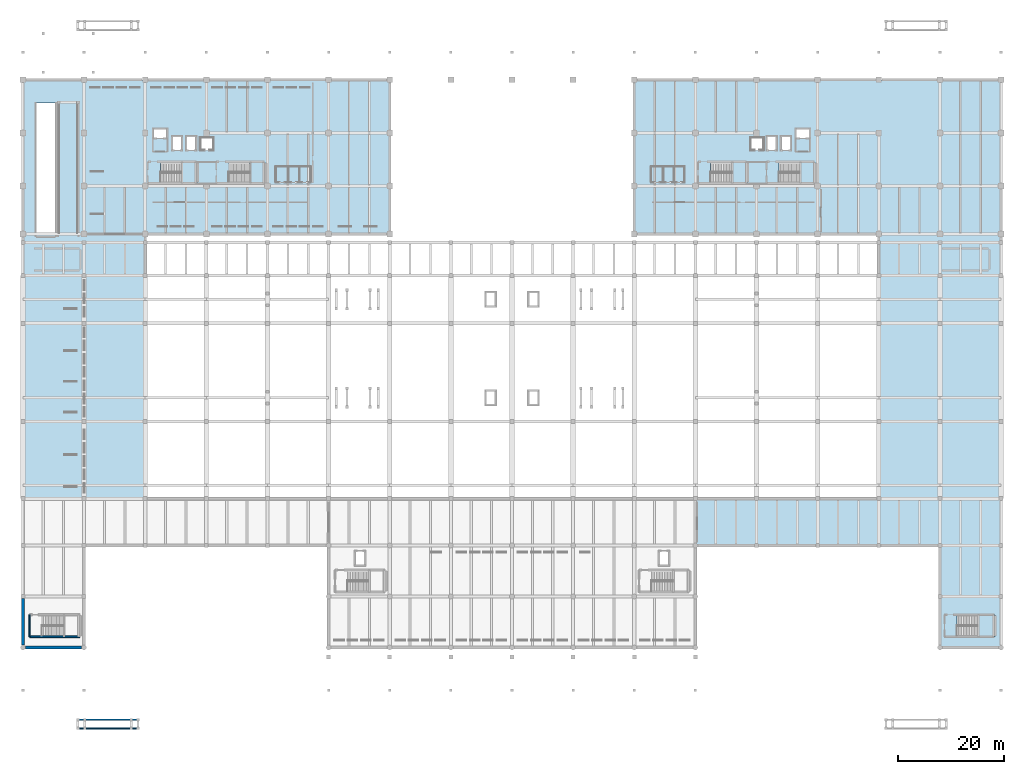
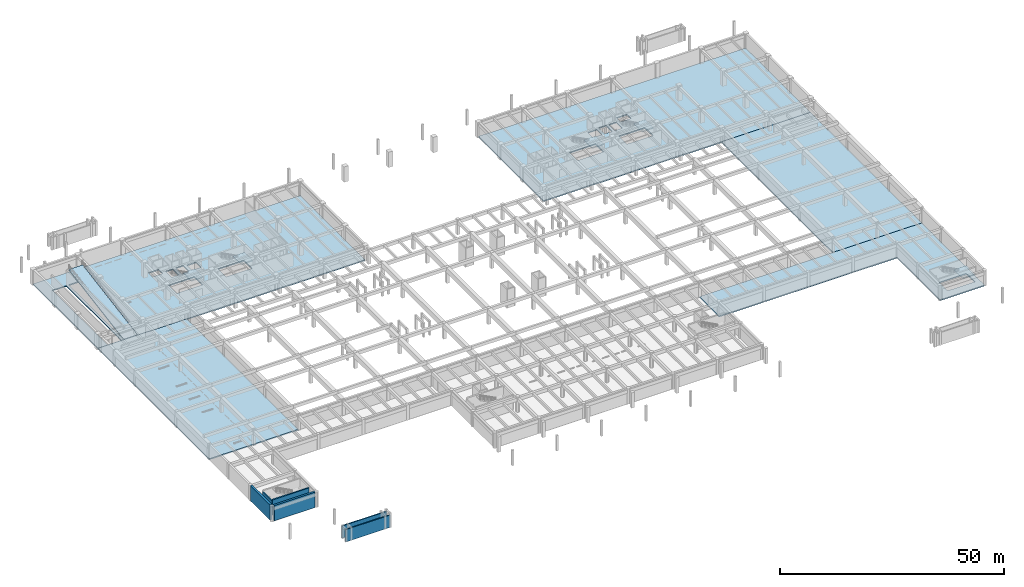
# One storey, part 8 of 20: 11 slabs, 6 walls, 5 elements without a shape of their own.
"""IFC4 building model written with IfcOpenShell, lengths in metres."""

from ifc_helpers import new_model, si_unit, direction, frame, frame_2d, origin, place, context, subcontext, project, spatial, polyline, rectangle, outline, extrude, material, layer, layer_set, type_object, element, aggregate, save


model = new_model("IFC4")

# Units and contexts
model_context = context("Model", 3, precision=1e-05, world=origin(), true_north=direction((0.0, 1.0)))
body_context = subcontext(model_context, "Body", "Model", "MODEL_VIEW")
ifc_project = project(units=[si_unit("LENGTHUNIT", "METRE"), si_unit("AREAUNIT", "SQUARE_METRE"), si_unit("VOLUMEUNIT", "CUBIC_METRE"), si_unit("PLANEANGLEUNIT", "RADIAN"), si_unit("MASSUNIT", "GRAM", prefix="KILO")], contexts=[model_context])

# Site, building, storey
site_placement = place(None, origin())
site = spatial("IfcSite", under=ifc_project, at=site_placement, CompositionType="ELEMENT")
building_placement = place(site_placement, origin())
building = spatial("IfcBuilding", under=site, at=building_placement, Name="Ologun Quay Terminus", CompositionType="ELEMENT")
storey_placement = place(building_placement, frame((0.0, 0.0, -4.199951171875)))
storey = spatial("IfcBuildingStorey", under=building, at=storey_placement, Name="B01", CompositionType="ELEMENT", Elevation=-4.199951171875)

# Stair, slab
ifc_material_1 = material(Name="Concrete C40/50", Category="concrete")
stair_type_1 = type_object("IfcStairType", Name="Courtyard Wing Core Escape Stair 1700", PredefinedType="HALF_TURN_STAIR", material=ifc_material_1)
stair_1_placement = place(storey_placement, origin())
stair_1 = element("IfcStair", 1, at=stair_1_placement, inside=storey, type_object=stair_type_1, Name="ST-W1 Stair B01", PredefinedType="HALF_TURN_STAIR")
ifc_material_2 = material(Name="Precast Concrete C40/50", Category="concrete")
ifc_layer_1 = layer(ifc_material_2, 0.179931640625)
ifc_layer_set_1 = layer_set([ifc_layer_1], Name="Precast Concrete C40/50")
slab_type_1 = type_object("IfcSlabType", Name="Precast Stair Half-Landing Slab 180", PredefinedType="LANDING", material=ifc_layer_set_1)
slab_1_placement = place(storey_placement, frame((0.0, 0.0, 1.919921875)))
slab_1 = element("IfcSlab", 2, at=slab_1_placement, type_object=slab_type_1, Name="ST-W1 Half-Landing B01", PredefinedType="LANDING", context=body_context, shape_type="SweptSolid", body=[
    extrude(outline(polyline([(29.719970703125, 95.469970703125), (32.72998046875, 95.469970703125), (32.72998046875, 99.22998046875), (29.719970703125, 99.22998046875), (29.719970703125, 95.469970703125)])), origin(), (0.0, 0.0, 1.0), 0.179931640625),
])
aggregate(stair_1, [slab_1])

stair_2_placement = place(storey_placement, origin())
stair_2 = element("IfcStair", 3, at=stair_2_placement, inside=storey, type_object=stair_type_1, Name="ST-W2 Stair B01", PredefinedType="HALF_TURN_STAIR")
slab_2_placement = place(storey_placement, frame((0.0, 0.0, 1.919921875)))
slab_2 = element("IfcSlab", 4, at=slab_2_placement, type_object=slab_type_1, Name="ST-W2 Half-Landing B01", PredefinedType="LANDING", context=body_context, shape_type="SweptSolid", body=[
    extrude(outline(polyline([(42.570068359375, 95.469970703125), (45.530029296875, 95.469970703125), (45.530029296875, 99.22998046875), (42.570068359375, 99.22998046875), (42.570068359375, 95.469970703125)])), origin(), (0.0, 0.0, 1.0), 0.179931640625),
])
aggregate(stair_2, [slab_2])

stair_3_placement = place(storey_placement, origin())
stair_3 = element("IfcStair", 5, at=stair_3_placement, inside=storey, type_object=stair_type_1, Name="ST-E1 Stair B01", PredefinedType="HALF_TURN_STAIR")
slab_3_placement = place(storey_placement, frame((0.0, 0.0, 1.919921875)))
slab_3 = element("IfcSlab", 6, at=slab_3_placement, type_object=slab_type_1, Name="ST-E1 Half-Landing B01", PredefinedType="LANDING", context=body_context, shape_type="SweptSolid", body=[
    extrude(outline(polyline([(133.219970703125, 95.469970703125), (136.22998046875, 95.469970703125), (136.22998046875, 99.22998046875), (133.219970703125, 99.22998046875), (133.219970703125, 95.469970703125)])), origin(), (0.0, 0.0, 1.0), 0.179931640625),
])
aggregate(stair_3, [slab_3])

stair_4_placement = place(storey_placement, origin())
stair_4 = element("IfcStair", 7, at=stair_4_placement, inside=storey, type_object=stair_type_1, Name="ST-E2 Stair B01", PredefinedType="HALF_TURN_STAIR")
slab_4_placement = place(storey_placement, frame((0.0, 0.0, 1.919921875)))
slab_4 = element("IfcSlab", 8, at=slab_4_placement, type_object=slab_type_1, Name="ST-E2 Half-Landing B01", PredefinedType="LANDING", context=body_context, shape_type="SweptSolid", body=[
    extrude(outline(polyline([(146.070068359375, 95.469970703125), (149.030029296875, 95.469970703125), (149.030029296875, 99.22998046875), (146.070068359375, 99.22998046875), (146.070068359375, 95.469970703125)])), origin(), (0.0, 0.0, 1.0), 0.179931640625),
])
aggregate(stair_4, [slab_4])

ifc_material_3 = material(Name="Concrete C40/50", Category="concrete")
stair_type_2 = type_object("IfcStairType", Name="Station Concourse Escape Stair 1800", PredefinedType="HALF_TURN_STAIR", material=ifc_material_3)
stair_5_placement = place(storey_placement, origin())
stair_5 = element("IfcStair", 9, at=stair_5_placement, inside=storey, type_object=stair_type_2, Name="ST-S2 Stair B01", PredefinedType="HALF_TURN_STAIR")
slab_5_placement = place(storey_placement, frame((0.0, 0.0, 1.919921875)))
slab_5 = element("IfcSlab", 10, at=slab_5_placement, type_object=slab_type_1, Name="ST-S2 Half-Landing B01", PredefinedType="LANDING", context=body_context, shape_type="SweptSolid", body=[
    extrude(outline(polyline([(179.570068359375, 10.1201171875), (182.830078125, 10.1201171875), (182.830078125, 14.080078125), (179.570068359375, 14.080078125), (179.570068359375, 10.1201171875)])), origin(), (0.0, 0.0, 1.0), 0.179931640625),
])
aggregate(stair_5, [slab_5])

# Slabs
ifc_material_4 = material(Name="Concrete C40/50", Category="concrete")
ifc_layer_2 = layer(ifc_material_4, 0.280029296875)
ifc_layer_set_2 = layer_set([ifc_layer_2], Name="Concrete C40/50")
slab_type_2 = type_object("IfcSlabType", Name="Structural Underground Vehicle Ramp Slab 280", PredefinedType="FLOOR", material=ifc_layer_set_2)
slab_6_placement = place(storey_placement, frame((6.699951171875, 85.919921875, 0.0), z_axis=(0.0, -0.16876096059, 0.985657008386), x_axis=(0.0, 0.985657008386, 0.16876096059)))
element("IfcSlab", 11, at=slab_6_placement, inside=storey, type_object=slab_type_2, Name="SL-VRMP Underground Vehicle Ramp Slab B01", PredefinedType="FLOOR", context=body_context, shape_type="SweptSolid", body=[
    extrude(outline(polyline([(0.0, 0.0), (24.886983086579217, 0.0), (24.886983086579217, -3.60009765625), (0.0, -3.60009765625), (0.0, 0.0)])), origin(), (0.0, 0.0, -1.0), 0.280029296875),
])
ifc_material_5 = material(Name="Concrete C40/50", Category="concrete")
ifc_layer_3 = layer(ifc_material_5, 0.280029296875)
ifc_layer_set_3 = layer_set([ifc_layer_3], Name="Concrete C40/50")
slab_type_3 = type_object("IfcSlabType", Name="Upper Basement Car Park Slab 280", PredefinedType="FLOOR", material=ifc_layer_set_3)
slab_7_placement = place(storey_placement, frame((0.0, 0.0, -0.280029296875)))
element("IfcSlab", 12, at=slab_7_placement, inside=storey, type_object=slab_type_3, Name="SL-B01 Basement Slab STHE", PredefinedType="FLOOR", context=body_context, shape_type="SweptSolid", body=[
    extrude(outline(polyline([(126.5, 27.199951171875), (172.5, 27.199951171875), (172.5, 8.0), (184.0, 8.0), (184.0, 36.0), (126.5, 36.0), (126.5, 27.199951171875)]), holes=[polyline([(175.72998046875, 10.199951171875), (175.72998046875, 14.0), (182.75, 14.0), (182.75, 10.199951171875), (175.72998046875, 10.199951171875)])]), origin(), (0.0, 0.0, 1.0), 0.280029296875),
])
slab_8_placement = place(storey_placement, frame((0.0, 0.0, -0.280029296875)))
element("IfcSlab", 13, at=slab_8_placement, inside=storey, type_object=slab_type_3, Name="SL-B01 Basement Slab WLNK", PredefinedType="FLOOR", context=body_context, shape_type="SweptSolid", body=[
    extrude(outline(polyline([(0.0, 36.0), (23.0, 36.0), (23.0, 85.800048828125), (0.0, 85.800048828125), (0.0, 36.0)])), origin(), (0.0, 0.0, 1.0), 0.280029296875),
])
slab_9_placement = place(storey_placement, frame((0.0, 0.0, -0.280029296875)))
element("IfcSlab", 14, at=slab_9_placement, inside=storey, type_object=slab_type_3, Name="SL-B01 Basement Slab ELNK", PredefinedType="FLOOR", context=body_context, shape_type="SweptSolid", body=[
    extrude(outline(polyline([(161.0, 36.0), (184.0, 36.0), (184.0, 85.800048828125), (161.0, 85.800048828125), (161.0, 36.0)])), origin(), (0.0, 0.0, 1.0), 0.280029296875),
])
slab_10_placement = place(storey_placement, frame((0.0, 0.0, -0.280029296875)))
element("IfcSlab", 15, at=slab_10_placement, inside=storey, type_object=slab_type_3, Name="SL-B01 Basement Slab WWNG", PredefinedType="FLOOR", context=body_context, shape_type="SweptSolid", body=[
    extrude(outline(polyline([(0.0, 85.800048828125), (69.0, 85.800048828125), (69.0, 114.800048828125), (0.0, 114.800048828125), (0.0, 85.800048828125)]), holes=[polyline([(24.449951171875, 103.780029296875), (24.449951171875, 105.6201171875), (27.14990234375, 105.6201171875), (27.14990234375, 103.780029296875), (24.449951171875, 103.780029296875)]), polyline([(28.050048828125, 101.5), (28.050048828125, 104.199951171875), (29.949951171875, 104.199951171875), (29.949951171875, 101.5), (28.050048828125, 101.5)]), polyline([(30.699951171875, 101.5), (30.699951171875, 104.199951171875), (32.60009765625, 104.199951171875), (32.60009765625, 101.5), (30.699951171875, 101.5)]), polyline([(25.8798828125, 95.550048828125), (25.8798828125, 99.14990234375), (32.64990234375, 99.14990234375), (32.64990234375, 95.550048828125), (25.8798828125, 95.550048828125)]), polyline([(38.72998046875, 95.550048828125), (38.72998046875, 99.14990234375), (45.449951171875, 99.14990234375), (45.449951171875, 95.550048828125), (38.72998046875, 95.550048828125)]), polyline([(2.5, 85.919921875), (2.5, 110.449951171875), (6.10009765625, 110.449951171875), (6.10009765625, 85.919921875), (2.5, 85.919921875)]), polyline([(6.699951171875, 85.919921875), (6.699951171875, 110.449951171875), (10.300048828125, 110.449951171875), (10.300048828125, 85.919921875), (6.699951171875, 85.919921875)]), polyline([(33.39990234375, 101.60009765625), (33.39990234375, 103.89990234375), (35.800048828125, 103.89990234375), (35.800048828125, 101.60009765625), (33.39990234375, 101.60009765625)])]), origin(), (0.0, 0.0, 1.0), 0.280029296875),
])
slab_11_placement = place(storey_placement, frame((0.0, 0.0, -0.280029296875)))
element("IfcSlab", 16, at=slab_11_placement, inside=storey, type_object=slab_type_3, Name="SL-B01 Basement Slab EWNG", PredefinedType="FLOOR", context=body_context, shape_type="SweptSolid", body=[
    extrude(outline(polyline([(115.0, 85.800048828125), (184.0, 85.800048828125), (184.0, 114.800048828125), (115.0, 114.800048828125), (115.0, 85.800048828125)]), holes=[polyline([(145.35009765625, 103.780029296875), (145.35009765625, 105.6201171875), (148.050048828125, 105.6201171875), (148.050048828125, 103.780029296875), (145.35009765625, 103.780029296875)]), polyline([(139.89990234375, 101.5), (139.89990234375, 104.199951171875), (141.800048828125, 104.199951171875), (141.800048828125, 101.5), (139.89990234375, 101.5)]), polyline([(142.550048828125, 101.5), (142.550048828125, 104.199951171875), (144.449951171875, 104.199951171875), (144.449951171875, 101.5), (142.550048828125, 101.5)]), polyline([(129.3798828125, 95.550048828125), (129.3798828125, 99.14990234375), (136.14990234375, 99.14990234375), (136.14990234375, 95.550048828125), (129.3798828125, 95.550048828125)]), polyline([(142.22998046875, 95.550048828125), (142.22998046875, 99.14990234375), (148.949951171875, 99.14990234375), (148.949951171875, 95.550048828125), (142.22998046875, 95.550048828125)]), polyline([(136.89990234375, 101.60009765625), (136.89990234375, 103.89990234375), (139.300048828125, 103.89990234375), (139.300048828125, 101.60009765625), (136.89990234375, 101.60009765625)])]), origin(), (0.0, 0.0, 1.0), 0.280029296875),
])

# Walls
ifc_material_6 = material(Name="Concrete C35/45", Category="concrete")
ifc_layer_4 = layer(ifc_material_6, 0.5)
ifc_layer_set_4 = layer_set([ifc_layer_4], Name="Concrete C35/45")
wall_type_1 = type_object("IfcWallType", Name="Basement Perimeter Retaining Wall 500", PredefinedType="SHEAR", material=ifc_layer_set_4)
wall_1_placement = place(storey_placement, frame((0.469970703125, 8.0, 0.0), z_axis=(0.0, 0.0, 1.0), x_axis=(1.0, 0.0, 0.0)))
element("IfcWall", 17, at=wall_1_placement, inside=storey, type_object=wall_type_1, Name="Retaining Wall S1-1 B01", PredefinedType="SHEAR", context=body_context, shape_type="SweptSolid", body=[
    extrude(rectangle(XDim=10.56005859375, YDim=0.5, at=frame_2d((5.280029296875, 0.0))), origin(), (0.0, 0.0, 1.0), 4.199951171875),
])
wall_2_placement = place(storey_placement, frame((0.0, 8.469970703125, 0.0), z_axis=(0.0, 0.0, 1.0), x_axis=(0.0, 1.0, 0.0)))
element("IfcWall", 18, at=wall_2_placement, inside=storey, type_object=wall_type_1, Name="Retaining Wall WG-Y1 B01", PredefinedType="SHEAR", context=body_context, shape_type="SweptSolid", body=[
    extrude(rectangle(XDim=8.760009765625, YDim=0.5, at=frame_2d((4.3798828125, 0.0))), origin(), (0.0, 0.0, 1.0), 4.199951171875),
])
ifc_material_7 = material(Name="Concrete C40/50", Category="concrete")
ifc_layer_5 = layer(ifc_material_7, 0.239990234375)
ifc_layer_set_5 = layer_set([ifc_layer_5], Name="Concrete C40/50")
wall_type_2 = type_object("IfcWallType", Name="Fire Compartment Blockwork Wall 240", PredefinedType="SOLIDWALL", material=ifc_layer_set_5)
wall_3_placement = place(storey_placement, frame((1.25, 10.02001953125, 0.0), z_axis=(0.0, 0.0, 1.0), x_axis=(0.0, 1.0, 0.0)))
element("IfcWall", 19, at=wall_3_placement, inside=storey, type_object=wall_type_2, Name="PW-01 Partition ST-S1-W", PredefinedType="SOLIDWALL", context=body_context, shape_type="SweptSolid", body=[
    extrude(rectangle(XDim=4.159912109375, YDim=0.239990234375, at=frame_2d((2.080078125, 0.0))), origin(), (0.0, 0.0, 1.0), 3.85986328125),
])
ifc_material_8 = material(Name="Concrete C40/50", Category="concrete")
ifc_layer_6 = layer(ifc_material_8, 0.35009765625)
ifc_layer_set_6 = layer_set([ifc_layer_6], Name="Concrete C40/50")
wall_type_3 = type_object("IfcWallType", Name="Station Core Shear Wall 350", PredefinedType="SHEAR", material=ifc_layer_set_6)
wall_4_placement = place(storey_placement, frame((1.25, 10.02490234375, 0.0), z_axis=(0.0, 0.0, 1.0), x_axis=(1.0, 0.0, 0.0)))
element("IfcWall", 20, at=wall_4_placement, inside=storey, type_object=wall_type_3, Name="Station Core 1 S Shear Wall B01", PredefinedType="SHEAR", context=body_context, shape_type="SweptSolid", body=[
    extrude(rectangle(XDim=9.39990234375, YDim=0.35009765625, at=frame_2d((4.699951171875, 0.0))), origin(), (0.0, 0.0, 1.0), 4.199951171875),
])
ifc_material_9 = material(Name="Concrete C40/50", Category="concrete")
ifc_layer_7 = layer(ifc_material_9, 0.27001953125)
ifc_layer_set_7 = layer_set([ifc_layer_7], Name="Concrete C40/50")
wall_type_4 = type_object("IfcWallType", Name="Vehicle Ramp Bay Structural Wall 270", PredefinedType="SHEAR", material=ifc_layer_set_7)
for number, where, z_axis, x_axis, name in (
    (21, (10.199951171875, -7.219970703125, 0.0), (0.0, 0.0, 1.0), (1.0, 0.0, 0.0), "SW-RMP Ramp Plinth Wall 3S B01"),
    (22, (10.199951171875, -5.580078125, 0.0), (0.0, 0.0, 1.0), (1.0, 0.0, 0.0), "SW-RMP Ramp Plinth Wall 3N B01"),
):
    element("IfcWall", number, at=place(storey_placement, frame(where, z_axis=z_axis, x_axis=x_axis)), inside=storey, type_object=wall_type_4, Name=name, PredefinedType="SHEAR", context=body_context, shape_type="SweptSolid", body=[
        extrude(rectangle(XDim=11.60009765625, YDim=0.27001953125, at=frame_2d((5.800048828125, 0.0))), origin(), (0.0, 0.0, 1.0), 3.3798828125),
    ])

save(model, "model.ifc")
